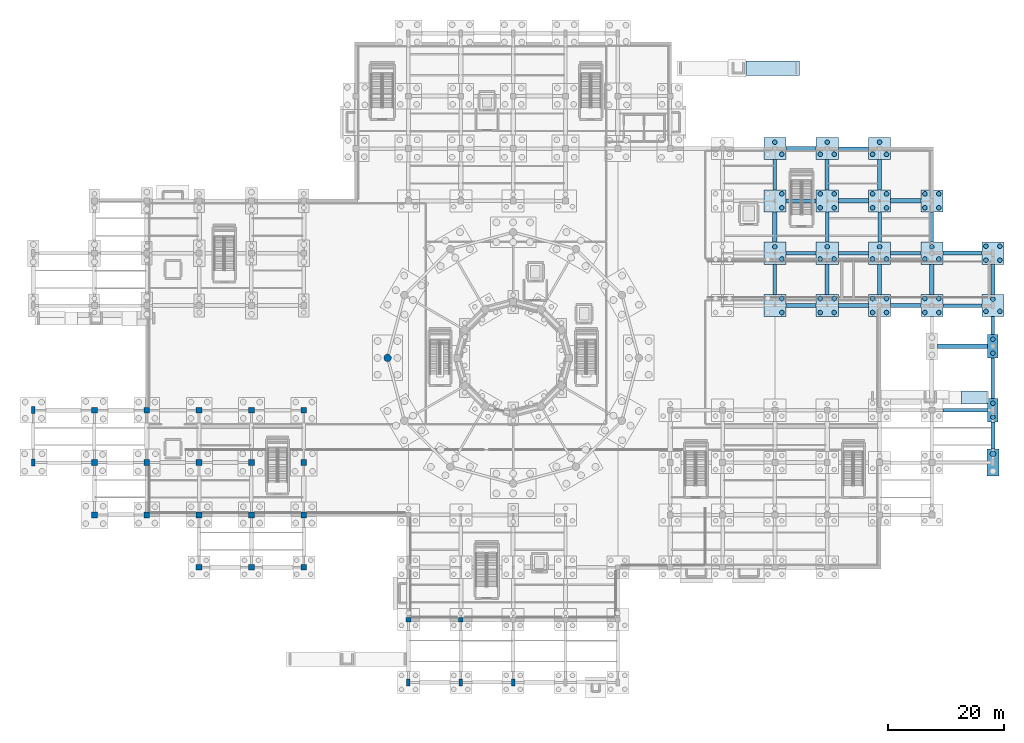
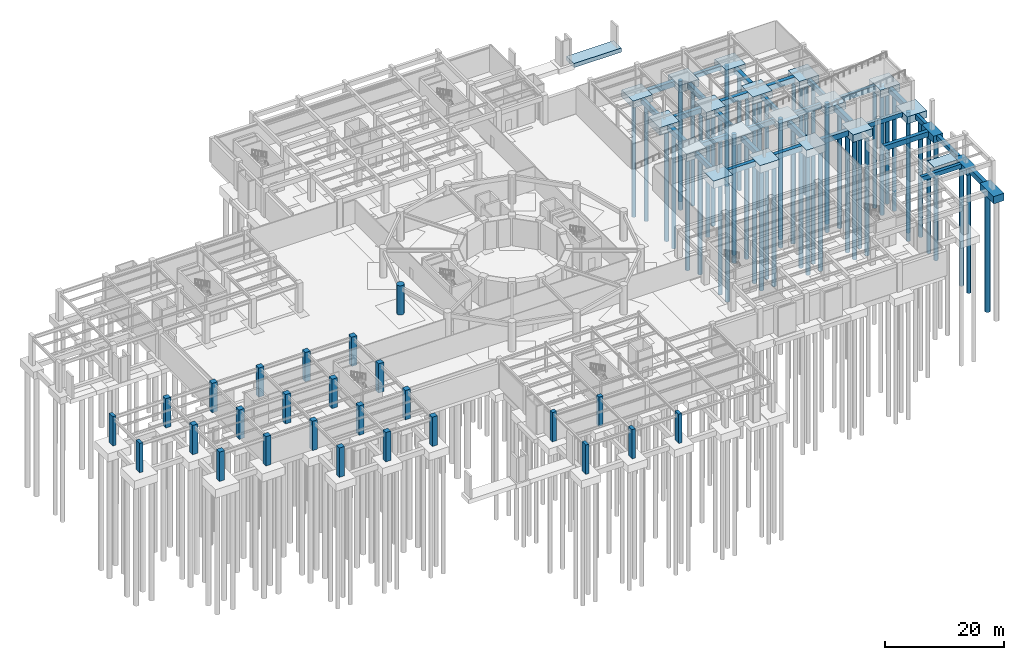
# One storey, part 7 of 36: 59 piles, 52 footings, 26 columns.
"""IFC4 building model written with IfcOpenShell, lengths in metres."""

from ifc_helpers import new_model, si_unit, direction, frame, origin, origin_2d, place, context, subcontext, project, spatial, rectangle, circle, extrude, material, material_profile, profile_set, type_object, element, save


model = new_model("IFC4")

# Units and contexts
model_context = context("Model", 3, precision=1e-05, world=origin(), true_north=direction((0.0, 1.0)))
body_context = subcontext(model_context, "Body", "Model", "MODEL_VIEW")
ifc_project = project(units=[si_unit("LENGTHUNIT", "METRE"), si_unit("AREAUNIT", "SQUARE_METRE"), si_unit("VOLUMEUNIT", "CUBIC_METRE"), si_unit("PLANEANGLEUNIT", "RADIAN"), si_unit("MASSUNIT", "GRAM", prefix="KILO")], contexts=[model_context])

# Site, building, storey
site_placement = place(None, origin())
site = spatial("IfcSite", under=ifc_project, at=site_placement, CompositionType="ELEMENT")
building_placement = place(site_placement, origin())
building = spatial("IfcBuilding", under=site, at=building_placement, Name="Haizhuo Lancet Aquarium", CompositionType="ELEMENT")
storey_placement = place(building_placement, frame((0.0, 0.0, -6.0)))
storey = spatial("IfcBuildingStorey", under=building, at=storey_placement, Name="B1", CompositionType="ELEMENT", Elevation=-6.0)

# Footings
ifc_material_1 = material(Name="Concrete C40/50", Category="concrete")
footing_type_1 = type_object("IfcFootingType", Name="FCAP-PC2A", PredefinedType="PILE_CAP", material=ifc_material_1)
for number, where, z_axis, x_axis, name in (
    (1, (82.5, -9.0, -1.39990234375), (0.0, 0.0, 1.0), (1.0, 0.0, 0.0), "Pile cap PC-01 65"),
    (2, (82.5, 2.0, -1.39990234375), (0.0, 0.0, 1.0), (1.0, 0.0, 0.0), "Pile cap PC-01 149"),
):
    element("IfcFooting", number, at=place(storey_placement, frame(where, z_axis=z_axis, x_axis=x_axis)), inside=storey, type_object=footing_type_1, Name=name, PredefinedType="PILE_CAP", context=body_context, shape_type="SweptSolid", body=[
        extrude(rectangle(XDim=1.800048828125, YDim=4.0, at=origin_2d()), origin(), (0.0, 0.0, 1.0), 1.39990234375),
    ])
footing_type_2 = type_object("IfcFootingType", Name="FCAP-PC2B", PredefinedType="PILE_CAP", material=ifc_material_1)
footing_1_placement = place(storey_placement, frame((82.5, -18.0, -1.5), z_axis=(0.0, 0.0, 1.0), x_axis=(1.0, 0.0, 0.0)))
element("IfcFooting", 3, at=footing_1_placement, inside=storey, type_object=footing_type_2, Name="Pile cap PC-02 64", PredefinedType="PILE_CAP", context=body_context, shape_type="SweptSolid", body=[
    extrude(rectangle(XDim=2.0, YDim=4.60009765625, at=origin_2d()), origin(), (0.0, 0.0, 1.0), 1.5),
])
footing_type_3 = type_object("IfcFootingType", Name="FCAP-PC3A", PredefinedType="PILE_CAP", material=ifc_material_1)
for number, where, z_axis, x_axis, name in (
    (4, (45.0, 18.0, -1.4501953125), (0.0, 0.0, 1.0), (1.0, 0.0, 0.0), "Pile cap PC-03 133"),
    (5, (45.0, 36.0, -1.4501953125), (0.0, 0.0, 1.0), (1.0, 0.0, 0.0), "Pile cap PC-03 135"),
    (6, (54.0, 18.0, -1.4501953125), (0.0, 0.0, 1.0), (1.0, 0.0, 0.0), "Pile cap PC-03 137"),
    (7, (54.0, 36.0, -1.4501953125), (0.0, 0.0, 1.0), (1.0, 0.0, 0.0), "Pile cap PC-03 139"),
    (8, (63.0, 18.0, -1.4501953125), (0.0, 0.0, 1.0), (1.0, 0.0, 0.0), "Pile cap PC-03 141"),
    (9, (63.0, 36.0, -1.4501953125), (0.0, 0.0, 1.0), (1.0, 0.0, 0.0), "Pile cap PC-03 143"),
    (10, (72.0, 18.0, -1.4501953125), (0.0, 0.0, 1.0), (1.0, 0.0, 0.0), "Pile cap PC-03 145"),
    (11, (82.5, 9.0, -1.4501953125), (0.0, 0.0, 1.0), (1.0, 0.0, 0.0), "Pile cap PC-03 147"),
):
    element("IfcFooting", number, at=place(storey_placement, frame(where, z_axis=z_axis, x_axis=x_axis)), inside=storey, type_object=footing_type_3, Name=name, PredefinedType="PILE_CAP", context=body_context, shape_type="SweptSolid", body=[
        extrude(rectangle(XDim=3.800048828125, YDim=3.800048828125, at=origin_2d()), origin(), (0.0, 0.0, 1.0), 1.449951171875),
    ])
footing_type_4 = type_object("IfcFootingType", Name="FCAP-PC4A", PredefinedType="PILE_CAP", material=ifc_material_1)
for number, where, z_axis, x_axis, name in (
    (12, (45.0, 9.0, -1.5498046875), (0.0, 0.0, 1.0), (1.0, 0.0, 0.0), "Pile cap PC-04 132"),
    (13, (45.0, 27.0, -1.5498046875), (0.0, 0.0, 1.0), (1.0, 0.0, 0.0), "Pile cap PC-04 134"),
    (14, (54.0, 9.0, -1.5498046875), (0.0, 0.0, 1.0), (1.0, 0.0, 0.0), "Pile cap PC-04 136"),
    (15, (54.0, 27.0, -1.5498046875), (0.0, 0.0, 1.0), (1.0, 0.0, 0.0), "Pile cap PC-04 138"),
    (16, (63.0, 9.0, -1.5498046875), (0.0, 0.0, 1.0), (1.0, 0.0, 0.0), "Pile cap PC-04 140"),
    (17, (63.0, 27.0, -1.5498046875), (0.0, 0.0, 1.0), (1.0, 0.0, 0.0), "Pile cap PC-04 142"),
    (18, (72.0, 9.0, -1.5498046875), (0.0, 0.0, 1.0), (1.0, 0.0, 0.0), "Pile cap PC-04 144"),
    (19, (72.0, 27.0, -1.5498046875), (0.0, 0.0, 1.0), (1.0, 0.0, 0.0), "Pile cap PC-04 146"),
    (20, (82.5, 18.0, -1.5498046875), (0.0, 0.0, 1.0), (1.0, 0.0, 0.0), "Pile cap PC-04 148"),
):
    element("IfcFooting", number, at=place(storey_placement, frame(where, z_axis=z_axis, x_axis=x_axis)), inside=storey, type_object=footing_type_4, Name=name, PredefinedType="PILE_CAP", context=body_context, shape_type="SweptSolid", body=[
        extrude(rectangle(XDim=3.800048828125, YDim=3.800048828125, at=origin_2d()), origin(), (0.0, 0.0, 1.0), 1.550048828125),
    ])
footing_type_5 = type_object("IfcFootingType", Name="FPAD-2200", PredefinedType="PAD_FOOTING", material=ifc_material_1)
footing_2_placement = place(storey_placement, frame((79.35009765625, -6.800048828125, -0.85009765625), z_axis=(0.0, 0.0, 1.0), x_axis=(1.0, 0.0, 0.0)))
element("IfcFooting", 21, at=footing_2_placement, inside=storey, type_object=footing_type_5, material=ifc_material_1, Name="East Avenue Accessible Plinth Ramp RMP-02 mat footing 5", PredefinedType="PAD_FOOTING", context=body_context, shape_type="SweptSolid", body=[
    extrude(rectangle(XDim=4.4599609375, YDim=2.239990234375, at=origin_2d()), origin(), (0.0, 0.0, 1.0), 0.85009765625),
])
footing_3_placement = place(storey_placement, frame((44.610107421875, 49.800048828125, -0.85009765625), z_axis=(0.0, 0.0, 1.0), x_axis=(1.0, 0.0, 0.0)))
element("IfcFooting", 22, at=footing_3_placement, inside=storey, type_object=footing_type_5, material=ifc_material_1, Name="North Plaza Accessible Plinth Ramp RMP-04 mat footing 2", PredefinedType="PAD_FOOTING", context=body_context, shape_type="SweptSolid", body=[
    extrude(rectangle(XDim=9.179931640625, YDim=2.5, at=origin_2d()), origin(), (0.0, 0.0, 1.0), 0.85009765625),
])
footing_type_6 = type_object("IfcFootingType", Name="FTB-600x1000", PredefinedType="FOOTING_BEAM", material=ifc_material_1)
for number, where, z_axis, x_axis, name in (
    (23, (45.0, 13.5, -1.0), (0.0, 0.0, 1.0), (0.0, 1.0, 0.0), "Foundation tie beam 150"),
    (24, (45.0, 31.5, -1.0), (0.0, 0.0, 1.0), (0.0, 1.0, 0.0), "Foundation tie beam 154"),
    (25, (58.5, 18.0, -1.0), (0.0, 0.0, 1.0), (1.0, 0.0, 0.0), "Foundation tie beam 166"),
    (26, (67.5, 18.0, -1.0), (0.0, 0.0, 1.0), (1.0, 0.0, 0.0), "Foundation tie beam 178"),
    (27, (72.0, 22.5, -1.0), (0.0, 0.0, 1.0), (0.0, 1.0, 0.0), "Foundation tie beam 190"),
):
    element("IfcFooting", number, at=place(storey_placement, frame(where, z_axis=z_axis, x_axis=x_axis)), inside=storey, type_object=footing_type_6, Name=name, PredefinedType="FOOTING_BEAM", context=body_context, shape_type="SweptSolid", body=[
        extrude(rectangle(XDim=5.199951171875, YDim=0.60009765625, at=origin_2d()), origin(), (0.0, 0.0, 1.0), 1.0),
    ])
footing_4_placement = place(storey_placement, frame((82.5, 5.550048828125, -1.0), z_axis=(0.0, 0.0, 1.0), x_axis=(0.0, 1.0, 0.0)))
element("IfcFooting", 28, at=footing_4_placement, inside=storey, type_object=footing_type_6, Name="Foundation tie beam 194", PredefinedType="FOOTING_BEAM", context=body_context, shape_type="SweptSolid", body=[
    extrude(rectangle(XDim=3.10009765625, YDim=0.60009765625, at=origin_2d()), origin(), (0.0, 0.0, 1.0), 1.0),
])
footing_type_7 = type_object("IfcFootingType", Name="FTB-600x900", PredefinedType="FOOTING_BEAM", material=ifc_material_1)
for number, where, z_axis, x_axis, name in (
    (29, (49.5, 18.0, -0.89990234375), (0.0, 0.0, 1.0), (1.0, 0.0, 0.0), "Foundation tie beam 153"),
    (30, (54.0, 22.5, -0.89990234375), (0.0, 0.0, 1.0), (0.0, 1.0, 0.0), "Foundation tie beam 165"),
    (31, (58.5, 36.0, -0.89990234375), (0.0, 0.0, 1.0), (1.0, 0.0, 0.0), "Foundation tie beam 169"),
    (32, (63.0, 22.5, -0.89990234375), (0.0, 0.0, 1.0), (0.0, 1.0, 0.0), "Foundation tie beam 177"),
):
    element("IfcFooting", number, at=place(storey_placement, frame(where, z_axis=z_axis, x_axis=x_axis)), inside=storey, type_object=footing_type_7, Name=name, PredefinedType="FOOTING_BEAM", context=body_context, shape_type="SweptSolid", body=[
        extrude(rectangle(XDim=5.199951171875, YDim=0.60009765625, at=origin_2d()), origin(), (0.0, 0.0, 1.0), 0.89990234375),
    ])
footing_5_placement = place(storey_placement, frame((77.75, -9.0, -0.89990234375), z_axis=(0.0, 0.0, 1.0), x_axis=(1.0, 0.0, 0.0)))
element("IfcFooting", 33, at=footing_5_placement, inside=storey, type_object=footing_type_7, Name="Foundation tie beam 185", PredefinedType="FOOTING_BEAM", context=body_context, shape_type="SweptSolid", body=[
    extrude(rectangle(XDim=7.699951171875, YDim=0.60009765625, at=origin_2d()), origin(), (0.0, 0.0, 1.0), 0.89990234375),
])
footing_6_placement = place(storey_placement, frame((77.25, 9.0, -0.89990234375), z_axis=(0.0, 0.0, 1.0), x_axis=(1.0, 0.0, 0.0)))
element("IfcFooting", 34, at=footing_6_placement, inside=storey, type_object=footing_type_7, Name="Foundation tie beam 189", PredefinedType="FOOTING_BEAM", context=body_context, shape_type="SweptSolid", body=[
    extrude(rectangle(XDim=6.699951171875, YDim=0.60009765625, at=origin_2d()), origin(), (0.0, 0.0, 1.0), 0.89990234375),
])
footing_7_placement = place(storey_placement, frame((82.5, -3.5, -0.89990234375), z_axis=(0.0, 0.0, 1.0), x_axis=(0.0, 1.0, 0.0)))
element("IfcFooting", 35, at=footing_7_placement, inside=storey, type_object=footing_type_7, Name="Foundation tie beam 193", PredefinedType="FOOTING_BEAM", context=body_context, shape_type="SweptSolid", body=[
    extrude(rectangle(XDim=7.0, YDim=0.60009765625, at=origin_2d()), origin(), (0.0, 0.0, 1.0), 0.89990234375),
])
footing_type_8 = type_object("IfcFootingType", Name="FTB-700x1050", PredefinedType="FOOTING_BEAM", material=ifc_material_1)
for number, where, z_axis, x_axis, name in (
    (36, (49.5, 9.0, -1.0498046875), (0.0, 0.0, 1.0), (1.0, 0.0, 0.0), "Foundation tie beam 151"),
    (37, (49.5, 27.0, -1.0498046875), (0.0, 0.0, 1.0), (1.0, 0.0, 0.0), "Foundation tie beam 155"),
    (38, (54.0, 13.5, -1.0498046875), (0.0, 0.0, 1.0), (0.0, 1.0, 0.0), "Foundation tie beam 163"),
    (39, (54.0, 31.5, -1.0498046875), (0.0, 0.0, 1.0), (0.0, 1.0, 0.0), "Foundation tie beam 167"),
    (40, (63.0, 13.5, -1.0498046875), (0.0, 0.0, 1.0), (0.0, 1.0, 0.0), "Foundation tie beam 175"),
    (41, (63.0, 31.5, -1.0498046875), (0.0, 0.0, 1.0), (0.0, 1.0, 0.0), "Foundation tie beam 179"),
):
    element("IfcFooting", number, at=place(storey_placement, frame(where, z_axis=z_axis, x_axis=x_axis)), inside=storey, type_object=footing_type_8, Name=name, PredefinedType="FOOTING_BEAM", context=body_context, shape_type="SweptSolid", body=[
        extrude(rectangle(XDim=5.199951171875, YDim=0.699951171875, at=origin_2d()), origin(), (0.0, 0.0, 1.0), 1.050048828125),
    ])
footing_8_placement = place(storey_placement, frame((77.300048828125, 2.0, -1.0498046875), z_axis=(0.0, 0.0, 1.0), x_axis=(1.0, 0.0, 0.0)))
element("IfcFooting", 42, at=footing_8_placement, inside=storey, type_object=footing_type_8, Name="Foundation tie beam 187", PredefinedType="FOOTING_BEAM", context=body_context, shape_type="SweptSolid", body=[
    extrude(rectangle(XDim=8.60009765625, YDim=0.699951171875, at=origin_2d()), origin(), (0.0, 0.0, 1.0), 1.050048828125),
])
footing_9_placement = place(storey_placement, frame((77.25, 18.0, -1.0498046875), z_axis=(0.0, 0.0, 1.0), x_axis=(1.0, 0.0, 0.0)))
element("IfcFooting", 43, at=footing_9_placement, inside=storey, type_object=footing_type_8, Name="Foundation tie beam 191", PredefinedType="FOOTING_BEAM", context=body_context, shape_type="SweptSolid", body=[
    extrude(rectangle(XDim=6.699951171875, YDim=0.699951171875, at=origin_2d()), origin(), (0.0, 0.0, 1.0), 1.050048828125),
])
footing_10_placement = place(storey_placement, frame((82.5, 13.5, -1.0498046875), z_axis=(0.0, 0.0, 1.0), x_axis=(0.0, 1.0, 0.0)))
element("IfcFooting", 44, at=footing_10_placement, inside=storey, type_object=footing_type_8, Name="Foundation tie beam 195", PredefinedType="FOOTING_BEAM", context=body_context, shape_type="SweptSolid", body=[
    extrude(rectangle(XDim=5.199951171875, YDim=0.699951171875, at=origin_2d()), origin(), (0.0, 0.0, 1.0), 1.050048828125),
])
footing_type_9 = type_object("IfcFootingType", Name="FTB-750x1100", PredefinedType="FOOTING_BEAM", material=ifc_material_1)
for number, where, z_axis, x_axis, name in (
    (45, (45.0, 22.5, -1.10009765625), (0.0, 0.0, 1.0), (0.0, 1.0, 0.0), "Foundation tie beam 152"),
    (46, (49.5, 36.0, -1.10009765625), (0.0, 0.0, 1.0), (1.0, 0.0, 0.0), "Foundation tie beam 156"),
    (47, (58.5, 9.0, -1.10009765625), (0.0, 0.0, 1.0), (1.0, 0.0, 0.0), "Foundation tie beam 164"),
    (48, (58.5, 27.0, -1.10009765625), (0.0, 0.0, 1.0), (1.0, 0.0, 0.0), "Foundation tie beam 168"),
    (49, (67.5, 9.0, -1.10009765625), (0.0, 0.0, 1.0), (1.0, 0.0, 0.0), "Foundation tie beam 176"),
    (50, (67.5, 27.0, -1.10009765625), (0.0, 0.0, 1.0), (1.0, 0.0, 0.0), "Foundation tie beam 180"),
    (51, (72.0, 13.5, -1.10009765625), (0.0, 0.0, 1.0), (0.0, 1.0, 0.0), "Foundation tie beam 188"),
):
    element("IfcFooting", number, at=place(storey_placement, frame(where, z_axis=z_axis, x_axis=x_axis)), inside=storey, type_object=footing_type_9, Name=name, PredefinedType="FOOTING_BEAM", context=body_context, shape_type="SweptSolid", body=[
        extrude(rectangle(XDim=5.199951171875, YDim=0.75, at=origin_2d()), origin(), (0.0, 0.0, 1.0), 1.10009765625),
    ])
footing_11_placement = place(storey_placement, frame((82.5, -13.35009765625, -1.10009765625), z_axis=(0.0, 0.0, 1.0), x_axis=(0.0, 1.0, 0.0)))
element("IfcFooting", 52, at=footing_11_placement, inside=storey, type_object=footing_type_9, Name="Foundation tie beam 192", PredefinedType="FOOTING_BEAM", context=body_context, shape_type="SweptSolid", body=[
    extrude(rectangle(XDim=4.699951171875, YDim=0.75, at=origin_2d()), origin(), (0.0, 0.0, 1.0), 1.10009765625),
])

# Piles
ifc_material_profile_1 = material_profile(ifc_material_1, circle(Radius=0.5, at=origin_2d()), Name="PILE-1000")
ifc_profile_set_1 = profile_set([ifc_material_profile_1], Name="Concrete C40/50")
pile_type_1 = type_object("IfcPileType", Name="PILE-BORED-1000", PredefinedType="BORED", material=ifc_profile_set_1)
pile_placement = place(storey_placement, frame((82.5, -16.5, -1.35009765625), z_axis=(0.0, 0.0, -1.0), x_axis=(1.0, 0.0, 0.0)))
element("IfcPile", 53, at=pile_placement, inside=storey, type_object=pile_type_1, Name="Bored pile P-02 64.2", PredefinedType="BORED", context=body_context, shape_type="SweptSolid", body=[
    extrude(circle(Radius=0.5, at=origin_2d()), origin(), (0.0, 0.0, 1.0), 24.64990234375),
])
ifc_material_profile_2 = material_profile(ifc_material_1, circle(Radius=0.39990234375, at=origin_2d()), Name="PILE-800")
ifc_profile_set_2 = profile_set([ifc_material_profile_2], Name="Concrete C40/50")
pile_type_2 = type_object("IfcPileType", Name="PILE-BORED-800", PredefinedType="BORED", material=ifc_profile_set_2)
for number, where, z_axis, x_axis, name in (
    (54, (82.5, -10.199951171875, -1.25), (0.0, 0.0, -1.0), (1.0, 0.0, 0.0), "Bored pile P-01 65.1"),
    (55, (82.5, -7.800048828125, -1.25), (0.0, 0.0, -1.0), (1.0, 0.0, 0.0), "Bored pile P-01 65.2"),
):
    element("IfcPile", number, at=place(storey_placement, frame(where, z_axis=z_axis, x_axis=x_axis)), inside=storey, type_object=pile_type_2, Name=name, PredefinedType="BORED", context=body_context, shape_type="SweptSolid", body=[
        extrude(circle(Radius=0.39990234375, at=origin_2d()), origin(), (0.0, 0.0, 1.0), 24.75),
    ])
for number, where, z_axis, x_axis, name in (
    (56, (46.199951171875, 7.800048828125, -1.39990234375), (0.0, 0.0, -1.0), (1.0, 0.0, 0.0), "Bored pile P-01 132.2"),
    (57, (46.199951171875, 10.199951171875, -1.39990234375), (0.0, 0.0, -1.0), (1.0, 0.0, 0.0), "Bored pile P-01 132.4"),
):
    element("IfcPile", number, at=place(storey_placement, frame(where, z_axis=z_axis, x_axis=x_axis)), inside=storey, type_object=pile_type_2, Name=name, PredefinedType="BORED", context=body_context, shape_type="SweptSolid", body=[
        extrude(circle(Radius=0.39990234375, at=origin_2d()), origin(), (0.0, 0.0, 1.0), 24.60009765625),
    ])
for number, where, z_axis, x_axis, name in (
    (58, (46.199951171875, 17.0, -1.300048828125), (0.0, 0.0, -1.0), (1.0, 0.0, 0.0), "Bored pile P-01 133.2"),
    (59, (45.0, 19.10009765625, -1.300048828125), (0.0, 0.0, -1.0), (1.0, 0.0, 0.0), "Bored pile P-01 133.3"),
):
    element("IfcPile", number, at=place(storey_placement, frame(where, z_axis=z_axis, x_axis=x_axis)), inside=storey, type_object=pile_type_2, Name=name, PredefinedType="BORED", context=body_context, shape_type="SweptSolid", body=[
        extrude(circle(Radius=0.39990234375, at=origin_2d()), origin(), (0.0, 0.0, 1.0), 24.699951171875),
    ])
for number, where, z_axis, x_axis, name in (
    (60, (46.199951171875, 25.800048828125, -1.39990234375), (0.0, 0.0, -1.0), (1.0, 0.0, 0.0), "Bored pile P-01 134.2"),
    (61, (46.199951171875, 28.199951171875, -1.39990234375), (0.0, 0.0, -1.0), (1.0, 0.0, 0.0), "Bored pile P-01 134.4"),
):
    element("IfcPile", number, at=place(storey_placement, frame(where, z_axis=z_axis, x_axis=x_axis)), inside=storey, type_object=pile_type_2, Name=name, PredefinedType="BORED", context=body_context, shape_type="SweptSolid", body=[
        extrude(circle(Radius=0.39990234375, at=origin_2d()), origin(), (0.0, 0.0, 1.0), 24.60009765625),
    ])
for number, where, z_axis, x_axis, name in (
    (62, (46.199951171875, 35.0, -1.300048828125), (0.0, 0.0, -1.0), (1.0, 0.0, 0.0), "Bored pile P-01 135.2"),
    (63, (45.0, 37.10009765625, -1.300048828125), (0.0, 0.0, -1.0), (1.0, 0.0, 0.0), "Bored pile P-01 135.3"),
):
    element("IfcPile", number, at=place(storey_placement, frame(where, z_axis=z_axis, x_axis=x_axis)), inside=storey, type_object=pile_type_2, Name=name, PredefinedType="BORED", context=body_context, shape_type="SweptSolid", body=[
        extrude(circle(Radius=0.39990234375, at=origin_2d()), origin(), (0.0, 0.0, 1.0), 24.699951171875),
    ])
for number, where, z_axis, x_axis, name in (
    (64, (52.800048828125, 7.800048828125, -1.39990234375), (0.0, 0.0, -1.0), (1.0, 0.0, 0.0), "Bored pile P-01 136.1"),
    (65, (55.199951171875, 7.800048828125, -1.39990234375), (0.0, 0.0, -1.0), (1.0, 0.0, 0.0), "Bored pile P-01 136.2"),
    (66, (52.800048828125, 10.199951171875, -1.39990234375), (0.0, 0.0, -1.0), (1.0, 0.0, 0.0), "Bored pile P-01 136.3"),
    (67, (55.199951171875, 10.199951171875, -1.39990234375), (0.0, 0.0, -1.0), (1.0, 0.0, 0.0), "Bored pile P-01 136.4"),
):
    element("IfcPile", number, at=place(storey_placement, frame(where, z_axis=z_axis, x_axis=x_axis)), inside=storey, type_object=pile_type_2, Name=name, PredefinedType="BORED", context=body_context, shape_type="SweptSolid", body=[
        extrude(circle(Radius=0.39990234375, at=origin_2d()), origin(), (0.0, 0.0, 1.0), 24.60009765625),
    ])
for number, where, z_axis, x_axis, name in (
    (68, (52.800048828125, 17.0, -1.300048828125), (0.0, 0.0, -1.0), (1.0, 0.0, 0.0), "Bored pile P-01 137.1"),
    (69, (55.199951171875, 17.0, -1.300048828125), (0.0, 0.0, -1.0), (1.0, 0.0, 0.0), "Bored pile P-01 137.2"),
    (70, (54.0, 19.10009765625, -1.300048828125), (0.0, 0.0, -1.0), (1.0, 0.0, 0.0), "Bored pile P-01 137.3"),
):
    element("IfcPile", number, at=place(storey_placement, frame(where, z_axis=z_axis, x_axis=x_axis)), inside=storey, type_object=pile_type_2, Name=name, PredefinedType="BORED", context=body_context, shape_type="SweptSolid", body=[
        extrude(circle(Radius=0.39990234375, at=origin_2d()), origin(), (0.0, 0.0, 1.0), 24.699951171875),
    ])
for number, where, z_axis, x_axis, name in (
    (71, (52.800048828125, 25.800048828125, -1.39990234375), (0.0, 0.0, -1.0), (1.0, 0.0, 0.0), "Bored pile P-01 138.1"),
    (72, (55.199951171875, 25.800048828125, -1.39990234375), (0.0, 0.0, -1.0), (1.0, 0.0, 0.0), "Bored pile P-01 138.2"),
    (73, (52.800048828125, 28.199951171875, -1.39990234375), (0.0, 0.0, -1.0), (1.0, 0.0, 0.0), "Bored pile P-01 138.3"),
    (74, (55.199951171875, 28.199951171875, -1.39990234375), (0.0, 0.0, -1.0), (1.0, 0.0, 0.0), "Bored pile P-01 138.4"),
):
    element("IfcPile", number, at=place(storey_placement, frame(where, z_axis=z_axis, x_axis=x_axis)), inside=storey, type_object=pile_type_2, Name=name, PredefinedType="BORED", context=body_context, shape_type="SweptSolid", body=[
        extrude(circle(Radius=0.39990234375, at=origin_2d()), origin(), (0.0, 0.0, 1.0), 24.60009765625),
    ])
for number, where, z_axis, x_axis, name in (
    (75, (52.800048828125, 35.0, -1.300048828125), (0.0, 0.0, -1.0), (1.0, 0.0, 0.0), "Bored pile P-01 139.1"),
    (76, (55.199951171875, 35.0, -1.300048828125), (0.0, 0.0, -1.0), (1.0, 0.0, 0.0), "Bored pile P-01 139.2"),
    (77, (54.0, 37.10009765625, -1.300048828125), (0.0, 0.0, -1.0), (1.0, 0.0, 0.0), "Bored pile P-01 139.3"),
):
    element("IfcPile", number, at=place(storey_placement, frame(where, z_axis=z_axis, x_axis=x_axis)), inside=storey, type_object=pile_type_2, Name=name, PredefinedType="BORED", context=body_context, shape_type="SweptSolid", body=[
        extrude(circle(Radius=0.39990234375, at=origin_2d()), origin(), (0.0, 0.0, 1.0), 24.699951171875),
    ])
for number, where, z_axis, x_axis, name in (
    (78, (61.800048828125, 7.800048828125, -1.39990234375), (0.0, 0.0, -1.0), (1.0, 0.0, 0.0), "Bored pile P-01 140.1"),
    (79, (64.199951171875, 7.800048828125, -1.39990234375), (0.0, 0.0, -1.0), (1.0, 0.0, 0.0), "Bored pile P-01 140.2"),
    (80, (61.800048828125, 10.199951171875, -1.39990234375), (0.0, 0.0, -1.0), (1.0, 0.0, 0.0), "Bored pile P-01 140.3"),
    (81, (64.199951171875, 10.199951171875, -1.39990234375), (0.0, 0.0, -1.0), (1.0, 0.0, 0.0), "Bored pile P-01 140.4"),
):
    element("IfcPile", number, at=place(storey_placement, frame(where, z_axis=z_axis, x_axis=x_axis)), inside=storey, type_object=pile_type_2, Name=name, PredefinedType="BORED", context=body_context, shape_type="SweptSolid", body=[
        extrude(circle(Radius=0.39990234375, at=origin_2d()), origin(), (0.0, 0.0, 1.0), 24.60009765625),
    ])
for number, where, z_axis, x_axis, name in (
    (82, (61.800048828125, 17.0, -1.300048828125), (0.0, 0.0, -1.0), (1.0, 0.0, 0.0), "Bored pile P-01 141.1"),
    (83, (64.199951171875, 17.0, -1.300048828125), (0.0, 0.0, -1.0), (1.0, 0.0, 0.0), "Bored pile P-01 141.2"),
    (84, (63.0, 19.10009765625, -1.300048828125), (0.0, 0.0, -1.0), (1.0, 0.0, 0.0), "Bored pile P-01 141.3"),
):
    element("IfcPile", number, at=place(storey_placement, frame(where, z_axis=z_axis, x_axis=x_axis)), inside=storey, type_object=pile_type_2, Name=name, PredefinedType="BORED", context=body_context, shape_type="SweptSolid", body=[
        extrude(circle(Radius=0.39990234375, at=origin_2d()), origin(), (0.0, 0.0, 1.0), 24.699951171875),
    ])
for number, where, z_axis, x_axis, name in (
    (85, (61.800048828125, 25.800048828125, -1.39990234375), (0.0, 0.0, -1.0), (1.0, 0.0, 0.0), "Bored pile P-01 142.1"),
    (86, (64.199951171875, 25.800048828125, -1.39990234375), (0.0, 0.0, -1.0), (1.0, 0.0, 0.0), "Bored pile P-01 142.2"),
    (87, (61.800048828125, 28.199951171875, -1.39990234375), (0.0, 0.0, -1.0), (1.0, 0.0, 0.0), "Bored pile P-01 142.3"),
    (88, (64.199951171875, 28.199951171875, -1.39990234375), (0.0, 0.0, -1.0), (1.0, 0.0, 0.0), "Bored pile P-01 142.4"),
):
    element("IfcPile", number, at=place(storey_placement, frame(where, z_axis=z_axis, x_axis=x_axis)), inside=storey, type_object=pile_type_2, Name=name, PredefinedType="BORED", context=body_context, shape_type="SweptSolid", body=[
        extrude(circle(Radius=0.39990234375, at=origin_2d()), origin(), (0.0, 0.0, 1.0), 24.60009765625),
    ])
for number, where, z_axis, x_axis, name in (
    (89, (61.800048828125, 35.0, -1.300048828125), (0.0, 0.0, -1.0), (1.0, 0.0, 0.0), "Bored pile P-01 143.1"),
    (90, (64.199951171875, 35.0, -1.300048828125), (0.0, 0.0, -1.0), (1.0, 0.0, 0.0), "Bored pile P-01 143.2"),
    (91, (63.0, 37.10009765625, -1.300048828125), (0.0, 0.0, -1.0), (1.0, 0.0, 0.0), "Bored pile P-01 143.3"),
):
    element("IfcPile", number, at=place(storey_placement, frame(where, z_axis=z_axis, x_axis=x_axis)), inside=storey, type_object=pile_type_2, Name=name, PredefinedType="BORED", context=body_context, shape_type="SweptSolid", body=[
        extrude(circle(Radius=0.39990234375, at=origin_2d()), origin(), (0.0, 0.0, 1.0), 24.699951171875),
    ])
for number, where, z_axis, x_axis, name in (
    (92, (70.800048828125, 7.800048828125, -1.39990234375), (0.0, 0.0, -1.0), (1.0, 0.0, 0.0), "Bored pile P-01 144.1"),
    (93, (73.199951171875, 7.800048828125, -1.39990234375), (0.0, 0.0, -1.0), (1.0, 0.0, 0.0), "Bored pile P-01 144.2"),
    (94, (70.800048828125, 10.199951171875, -1.39990234375), (0.0, 0.0, -1.0), (1.0, 0.0, 0.0), "Bored pile P-01 144.3"),
    (95, (73.199951171875, 10.199951171875, -1.39990234375), (0.0, 0.0, -1.0), (1.0, 0.0, 0.0), "Bored pile P-01 144.4"),
):
    element("IfcPile", number, at=place(storey_placement, frame(where, z_axis=z_axis, x_axis=x_axis)), inside=storey, type_object=pile_type_2, Name=name, PredefinedType="BORED", context=body_context, shape_type="SweptSolid", body=[
        extrude(circle(Radius=0.39990234375, at=origin_2d()), origin(), (0.0, 0.0, 1.0), 24.60009765625),
    ])
for number, where, z_axis, x_axis, name in (
    (96, (70.800048828125, 17.0, -1.300048828125), (0.0, 0.0, -1.0), (1.0, 0.0, 0.0), "Bored pile P-01 145.1"),
    (97, (73.199951171875, 17.0, -1.300048828125), (0.0, 0.0, -1.0), (1.0, 0.0, 0.0), "Bored pile P-01 145.2"),
    (98, (72.0, 19.10009765625, -1.300048828125), (0.0, 0.0, -1.0), (1.0, 0.0, 0.0), "Bored pile P-01 145.3"),
):
    element("IfcPile", number, at=place(storey_placement, frame(where, z_axis=z_axis, x_axis=x_axis)), inside=storey, type_object=pile_type_2, Name=name, PredefinedType="BORED", context=body_context, shape_type="SweptSolid", body=[
        extrude(circle(Radius=0.39990234375, at=origin_2d()), origin(), (0.0, 0.0, 1.0), 24.699951171875),
    ])
for number, where, z_axis, x_axis, name in (
    (99, (70.800048828125, 25.800048828125, -1.39990234375), (0.0, 0.0, -1.0), (1.0, 0.0, 0.0), "Bored pile P-01 146.1"),
    (100, (73.199951171875, 25.800048828125, -1.39990234375), (0.0, 0.0, -1.0), (1.0, 0.0, 0.0), "Bored pile P-01 146.2"),
    (101, (70.800048828125, 28.199951171875, -1.39990234375), (0.0, 0.0, -1.0), (1.0, 0.0, 0.0), "Bored pile P-01 146.3"),
    (102, (73.199951171875, 28.199951171875, -1.39990234375), (0.0, 0.0, -1.0), (1.0, 0.0, 0.0), "Bored pile P-01 146.4"),
):
    element("IfcPile", number, at=place(storey_placement, frame(where, z_axis=z_axis, x_axis=x_axis)), inside=storey, type_object=pile_type_2, Name=name, PredefinedType="BORED", context=body_context, shape_type="SweptSolid", body=[
        extrude(circle(Radius=0.39990234375, at=origin_2d()), origin(), (0.0, 0.0, 1.0), 24.60009765625),
    ])
for number, where, z_axis, x_axis, name in (
    (103, (81.300048828125, 8.0, -1.300048828125), (0.0, 0.0, -1.0), (1.0, 0.0, 0.0), "Bored pile P-01 147.1"),
    (104, (83.699951171875, 8.0, -1.300048828125), (0.0, 0.0, -1.0), (1.0, 0.0, 0.0), "Bored pile P-01 147.2"),
    (105, (82.5, 10.10009765625, -1.300048828125), (0.0, 0.0, -1.0), (1.0, 0.0, 0.0), "Bored pile P-01 147.3"),
):
    element("IfcPile", number, at=place(storey_placement, frame(where, z_axis=z_axis, x_axis=x_axis)), inside=storey, type_object=pile_type_2, Name=name, PredefinedType="BORED", context=body_context, shape_type="SweptSolid", body=[
        extrude(circle(Radius=0.39990234375, at=origin_2d()), origin(), (0.0, 0.0, 1.0), 24.699951171875),
    ])
for number, where, z_axis, x_axis, name in (
    (106, (81.300048828125, 16.800048828125, -1.39990234375), (0.0, 0.0, -1.0), (1.0, 0.0, 0.0), "Bored pile P-01 148.1"),
    (107, (83.699951171875, 16.800048828125, -1.39990234375), (0.0, 0.0, -1.0), (1.0, 0.0, 0.0), "Bored pile P-01 148.2"),
    (108, (81.300048828125, 19.199951171875, -1.39990234375), (0.0, 0.0, -1.0), (1.0, 0.0, 0.0), "Bored pile P-01 148.3"),
    (109, (83.699951171875, 19.199951171875, -1.39990234375), (0.0, 0.0, -1.0), (1.0, 0.0, 0.0), "Bored pile P-01 148.4"),
):
    element("IfcPile", number, at=place(storey_placement, frame(where, z_axis=z_axis, x_axis=x_axis)), inside=storey, type_object=pile_type_2, Name=name, PredefinedType="BORED", context=body_context, shape_type="SweptSolid", body=[
        extrude(circle(Radius=0.39990234375, at=origin_2d()), origin(), (0.0, 0.0, 1.0), 24.60009765625),
    ])
for number, where, z_axis, x_axis, name in (
    (110, (82.5, 0.800048828125, -1.25), (0.0, 0.0, -1.0), (1.0, 0.0, 0.0), "Bored pile P-01 149.1"),
    (111, (82.5, 3.199951171875, -1.25), (0.0, 0.0, -1.0), (1.0, 0.0, 0.0), "Bored pile P-01 149.2"),
):
    element("IfcPile", number, at=place(storey_placement, frame(where, z_axis=z_axis, x_axis=x_axis)), inside=storey, type_object=pile_type_2, Name=name, PredefinedType="BORED", context=body_context, shape_type="SweptSolid", body=[
        extrude(circle(Radius=0.39990234375, at=origin_2d()), origin(), (0.0, 0.0, 1.0), 24.75),
    ])

# Columns
ifc_material_2 = material(Name="Concrete C50/60", Category="concrete")
ifc_material_profile_3 = material_profile(ifc_material_2, circle(Radius=0.64990234375, at=origin_2d()), Name="RC-DC 1300")
ifc_profile_set_3 = profile_set([ifc_material_profile_3], Name="Concrete C50/60")
column_type_1 = type_object("IfcColumnType", Name="COL-DC-1300", PredefinedType="COLUMN", material=ifc_profile_set_3)
column_placement = place(storey_placement, frame((-21.60009765625, 0.0, 0.0), z_axis=(0.0, 0.0, 1.0), x_axis=(-1.0, 0.0, 0.0)))
element("IfcColumn", 112, at=column_placement, inside=storey, type_object=column_type_1, Name="B1 column V1-COL-007", PredefinedType="COLUMN", context=body_context, shape_type="SweptSolid", body=[
    extrude(circle(Radius=0.64990234375, at=origin_2d()), origin(), (0.0, 0.0, 1.0), 6.0),
])
ifc_material_profile_4 = material_profile(ifc_material_2, rectangle(XDim=1.0, YDim=1.0, at=origin_2d()), Name="RC-COL 1000x1000")
ifc_profile_set_4 = profile_set([ifc_material_profile_4], Name="Concrete C50/60")
column_type_2 = type_object("IfcColumnType", Name="COL-RC-1000", PredefinedType="COLUMN", material=ifc_profile_set_4)
for number, where, z_axis, x_axis, name in (
    (113, (-72.0, -27.0, 0.0), (0.0, 0.0, 1.0), (1.0, 0.0, 0.0), "B1 column V6-COL-110"),
    (114, (-72.0, -18.0, 0.0), (0.0, 0.0, 1.0), (1.0, 0.0, 0.0), "B1 column V6-COL-111"),
    (115, (-72.0, -9.0, 0.0), (0.0, 0.0, 1.0), (1.0, 0.0, 0.0), "B1 column V6-COL-112"),
    (116, (-63.0, -27.0, 0.0), (0.0, 0.0, 1.0), (1.0, 0.0, 0.0), "B1 column V6-COL-113"),
    (117, (-63.0, -18.0, 0.0), (0.0, 0.0, 1.0), (1.0, 0.0, 0.0), "B1 column V6-COL-114"),
    (118, (-63.0, -9.0, 0.0), (0.0, 0.0, 1.0), (1.0, 0.0, 0.0), "B1 column V6-COL-115"),
    (119, (-54.0, -36.0, 0.0), (0.0, 0.0, 1.0), (1.0, 0.0, 0.0), "B1 column V6-COL-116"),
    (120, (-54.0, -27.0, 0.0), (0.0, 0.0, 1.0), (1.0, 0.0, 0.0), "B1 column V6-COL-117"),
    (121, (-54.0, -18.0, 0.0), (0.0, 0.0, 1.0), (1.0, 0.0, 0.0), "B1 column V6-COL-118"),
    (122, (-54.0, -9.0, 0.0), (0.0, 0.0, 1.0), (1.0, 0.0, 0.0), "B1 column V6-COL-119"),
    (123, (-45.0, -36.0, 0.0), (0.0, 0.0, 1.0), (1.0, 0.0, 0.0), "B1 column V6-COL-120"),
    (124, (-45.0, -27.0, 0.0), (0.0, 0.0, 1.0), (1.0, 0.0, 0.0), "B1 column V6-COL-121"),
    (125, (-45.0, -18.0, 0.0), (0.0, 0.0, 1.0), (1.0, 0.0, 0.0), "B1 column V6-COL-122"),
    (126, (-45.0, -9.0, 0.0), (0.0, 0.0, 1.0), (1.0, 0.0, 0.0), "B1 column V6-COL-123"),
    (127, (-36.0, -36.0, 0.0), (0.0, 0.0, 1.0), (1.0, 0.0, 0.0), "B1 column V6-COL-124"),
    (128, (-36.0, -27.0, 0.0), (0.0, 0.0, 1.0), (1.0, 0.0, 0.0), "B1 column V6-COL-125"),
    (129, (-36.0, -18.0, 0.0), (0.0, 0.0, 1.0), (1.0, 0.0, 0.0), "B1 column V6-COL-126"),
    (130, (-36.0, -9.0, 0.0), (0.0, 0.0, 1.0), (1.0, 0.0, 0.0), "B1 column V6-COL-127"),
):
    element("IfcColumn", number, at=place(storey_placement, frame(where, z_axis=z_axis, x_axis=x_axis)), inside=storey, type_object=column_type_2, Name=name, PredefinedType="COLUMN", context=body_context, shape_type="SweptSolid", body=[
        extrude(rectangle(XDim=1.0, YDim=1.0, at=origin_2d()), origin(), (0.0, 0.0, 1.0), 6.0),
    ])
ifc_material_profile_5 = material_profile(ifc_material_1, rectangle(XDim=0.800048828125, YDim=0.800048828125, at=origin_2d()), Name="RC-COL 800x800")
ifc_profile_set_5 = profile_set([ifc_material_profile_5], Name="Concrete C40/50")
column_type_3 = type_object("IfcColumnType", Name="COL-RC-800", PredefinedType="COLUMN", material=ifc_profile_set_5)
for number, where, z_axis, x_axis, name in (
    (131, (-18.0, -45.0, 0.0), (0.0, 0.0, 1.0), (1.0, 0.0, 0.0), "B1 column V4-COL-067"),
    (132, (-9.0, -45.0, 0.0), (0.0, 0.0, 1.0), (1.0, 0.0, 0.0), "B1 column V4-COL-071"),
):
    element("IfcColumn", number, at=place(storey_placement, frame(where, z_axis=z_axis, x_axis=x_axis)), inside=storey, type_object=column_type_3, Name=name, PredefinedType="COLUMN", context=body_context, shape_type="SweptSolid", body=[
        extrude(rectangle(XDim=0.800048828125, YDim=0.800048828125, at=origin_2d()), origin(), (0.0, 0.0, 1.0), 6.0),
    ])
ifc_material_3 = material(Name="Concrete C45/55", Category="concrete")
ifc_material_profile_6 = material_profile(ifc_material_3, rectangle(XDim=0.60009765625, YDim=1.199951171875, at=origin_2d()), Name="RC-PIL 600x1200")
ifc_profile_set_6 = profile_set([ifc_material_profile_6], Name="Concrete C45/55")
column_type_4 = type_object("IfcColumnType", Name="PIL-RC-600x1200", PredefinedType="PILASTER", material=ifc_profile_set_6)
for number, where, z_axis, x_axis, name in (
    (133, (-18.0, -55.800048828125, 0.0), (0.0, 0.0, 1.0), (1.0, 0.0, 0.0), "B1 column V4-COL-066"),
    (134, (-9.0, -55.800048828125, 0.0), (0.0, 0.0, 1.0), (1.0, 0.0, 0.0), "B1 column V4-COL-070"),
    (135, (0.0, -55.800048828125, 0.0), (0.0, 0.0, 1.0), (1.0, 0.0, 0.0), "B1 column V4-COL-074"),
    (136, (-82.5, -18.0, 0.0), (0.0, 0.0, 1.0), (1.0, 0.0, 0.0), "B1 column V6-COL-108"),
    (137, (-82.5, -9.0, 0.0), (0.0, 0.0, 1.0), (1.0, 0.0, 0.0), "B1 column V6-COL-109"),
):
    element("IfcColumn", number, at=place(storey_placement, frame(where, z_axis=z_axis, x_axis=x_axis)), inside=storey, type_object=column_type_4, Name=name, PredefinedType="PILASTER", context=body_context, shape_type="SweptSolid", body=[
        extrude(rectangle(XDim=0.60009765625, YDim=1.199951171875, at=origin_2d()), origin(), (0.0, 0.0, 1.0), 6.0),
    ])

save(model, "model.ifc")
